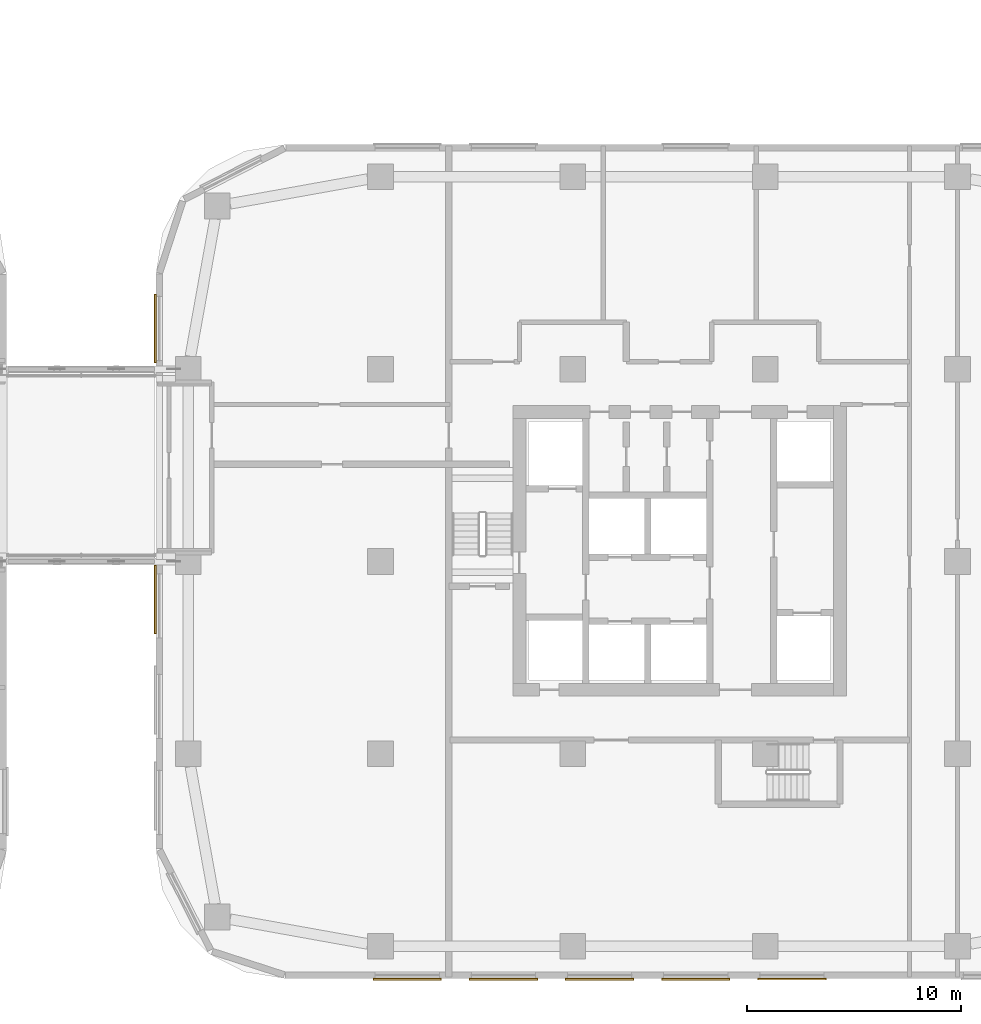
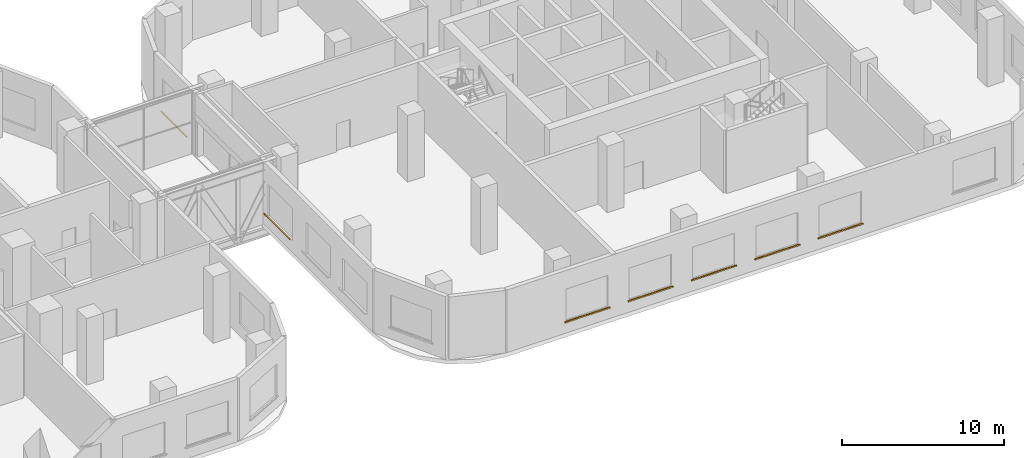
# One storey, part 33 of 35: 7 coverings.
"""IFC4 building model written with IfcOpenShell, lengths in metres."""

import ifcopenshell
import ifcopenshell.guid

model = None  # the IFC model being written
_history = None  # IfcOwnerHistory: only IFC2X3 demands one
_inside = {}  # id of a spatial element -> (the spatial element, [elements in it])
_under = {}  # id of a project, library or spatial element -> (it, [spatial elements below it])
_declared = {}  # id of a project -> (the project, [libraries it declares])
_typed = {}  # id of a type object -> (the type object, [elements of that type])
_made_of = {}  # id of a material, layer set ... -> (it, [elements and type objects made of it])


def new_model(schema):
    """Start an empty IFC model of exactly this schema.

    Asked for "IFC4X3", IfcOpenShell would pick the latest addendum, in which some entities
    have other attributes; the version numbers below select the first issue.
    IFC2X3 requires an IfcOwnerHistory on every rooted entity: one is made here for all.
    """
    global model, _history
    if schema == "IFC4X3":
        model = ifcopenshell.file(schema_version=(4, 3, 0, 0))
    else:
        model = ifcopenshell.file(schema=schema)
    _inside.clear()
    _under.clear()
    _declared.clear()
    _typed.clear()
    _made_of.clear()
    _history = None
    if model.schema == "IFC2X3":
        org = make("IfcOrganization", Name="unknown")
        user = make(
            "IfcPersonAndOrganization",
            ThePerson=make("IfcPerson", FamilyName="unknown"),
            TheOrganization=org,
        )
        app = make(
            "IfcApplication",
            ApplicationDeveloper=org,
            Version="unknown",
            ApplicationFullName="unknown",
            ApplicationIdentifier="unknown",
        )
        _history = make(
            "IfcOwnerHistory",
            OwningUser=user,
            OwningApplication=app,
            ChangeAction="ADDED",
            CreationDate=0,
        )
    return model


def make(cls, **values):
    """One entity of the class cls with the attributes given. An attribute that is None is left unset."""
    return model.create_entity(
        cls, **{name: value for name, value in values.items() if value is not None}
    )


def rooted(cls, **values):
    """An entity with a GlobalId (a new one), such as an element, a storey or a relation."""
    return make(cls, GlobalId=ifcopenshell.guid.new(), OwnerHistory=_history, **values)


def si_unit(unit_type, name, prefix=None):
    """IfcSIUnit, for example si_unit("LENGTHUNIT", "METRE", prefix="MILLI")."""
    return make("IfcSIUnit", UnitType=unit_type, Prefix=prefix, Name=name)


def assignment(units):
    """IfcUnitAssignment: the units of a project."""
    return None if units is None else make("IfcUnitAssignment", Units=units)


def point(xyz):
    """IfcCartesianPoint."""
    return None if xyz is None else make("IfcCartesianPoint", Coordinates=xyz)


def direction(xyz):
    """IfcDirection."""
    return None if xyz is None else make("IfcDirection", DirectionRatios=xyz)


def frame(location, z_axis=None, x_axis=None):
    """IfcAxis2Placement3D, a coordinate frame: its origin and axes. An axis left out is left unset."""
    return make(
        "IfcAxis2Placement3D",
        Location=point(location),
        Axis=direction(z_axis),
        RefDirection=direction(x_axis),
    )


def frame_2d(location, x_axis=None):
    """IfcAxis2Placement2D, a coordinate frame in the plane: its origin and x axis."""
    return make(
        "IfcAxis2Placement2D", Location=point(location), RefDirection=direction(x_axis)
    )


def origin():
    """The frame at (0, 0, 0) with its axes left unset."""
    return frame((0.0, 0.0, 0.0))


def origin_2d():
    """The frame at (0, 0) in the plane with its x axis left unset."""
    return frame_2d((0.0, 0.0))


def place(relative_to, where):
    """IfcLocalPlacement: puts the frame where relative to a parent placement (None: the world)."""
    return make(
        "IfcLocalPlacement", PlacementRelTo=relative_to, RelativePlacement=where
    )


def context(
    kind, dimensions, precision=None, world=None, true_north=None, identifier=None
):
    """IfcGeometricRepresentationContext, for example the 3D "Model" context."""
    return make(
        "IfcGeometricRepresentationContext",
        ContextIdentifier=identifier,
        ContextType=kind,
        CoordinateSpaceDimension=dimensions,
        Precision=precision,
        WorldCoordinateSystem=world,
        TrueNorth=true_north,
    )


def subcontext(parent, identifier, kind, view, scale=None):
    """IfcGeometricRepresentationSubContext, for example "Body" below "Model"."""
    return make(
        "IfcGeometricRepresentationSubContext",
        ContextIdentifier=identifier,
        ContextType=kind,
        ParentContext=parent,
        TargetScale=scale,
        TargetView=view,
    )


def project(units=None, contexts=None):
    """IfcProject with its units and contexts."""
    return rooted(
        "IfcProject",
        Name="project",
        RepresentationContexts=contexts,
        UnitsInContext=assignment(units),
    )


def spatial(cls, under=None, at=None, **own):
    """A site, building, storey or space (cls), placed at a placement, below another one or the project."""
    s = rooted(cls, ObjectPlacement=at, **own)
    if under is not None:
        _under.setdefault(under.id(), (under, []))[1].append(s)
    return s


def profile(cls, at=None, kind="AREA", **sizes):
    """A parametric profile (cls). Its sizes go by their IFC names, for example OverallWidth=200.0."""
    return make(cls, ProfileType=kind, Position=at, **sizes)


def rectangle(**sizes):
    """IfcRectangleProfileDef."""
    return profile("IfcRectangleProfileDef", **sizes)


def extrude(swept, where, along, depth):
    """IfcExtrudedAreaSolid: the profile swept, set in the frame where, extruded along a direction by depth."""
    return make(
        "IfcExtrudedAreaSolid",
        SweptArea=swept,
        Position=where,
        ExtrudedDirection=direction(along),
        Depth=depth,
    )


def shape(context_of_items, identifier, shape_type, items):
    """IfcShapeRepresentation: the items that make up one representation, for example the "Body"."""
    return make(
        "IfcShapeRepresentation",
        ContextOfItems=context_of_items,
        RepresentationIdentifier=identifier,
        RepresentationType=shape_type,
        Items=items,
    )


def material(Name=None, Category=None):
    """IfcMaterial."""
    return make("IfcMaterial", Name=Name, Category=Category)


def layer(
    of_material, thickness, ventilated=None, Name=None, Category=None, Priority=None
):
    """IfcMaterialLayer: one layer of a wall or slab, of a material (None: an air gap)."""
    return make(
        "IfcMaterialLayer",
        Material=of_material,
        LayerThickness=thickness,
        IsVentilated=ventilated,
        Name=Name,
        Category=Category,
        Priority=Priority,
    )


def layer_set(layers, Name=None):
    """IfcMaterialLayerSet."""
    return make("IfcMaterialLayerSet", MaterialLayers=layers, LayerSetName=Name)


def made_of(thing, what):
    """Note that an element or type object is made of a material, layer set ...; save() writes the relation."""
    if what is not None:
        _made_of.setdefault(what.id(), (what, []))[1].append(thing)
    return thing


def type_object(cls, material=None, **own):
    """A type object (cls), such as IfcWallType, which elements share."""
    return made_of(rooted(cls, **own), material)


def element(
    cls,
    number,
    at=None,
    inside=None,
    cuts=None,
    type_object=None,
    material=None,
    context=None,
    identifier="Body",
    shape_type=None,
    held_by="IfcProductDefinitionShape",
    body=None,
    shapes=None,
    **own,
):
    """One element of the class cls, such as IfcWall. Its Tag is "e" and its number.

    at: its placement. inside: the storey or other place that contains it. cuts: it is an
    opening in that element (IfcRelVoidsElement). A single representation is given by context,
    identifier, shape_type and body (its items); several are given by shapes. held_by: the class
    of the entity that holds the representations. save() writes the other relations.
    """
    e = rooted(cls, Tag="e%d" % number, ObjectPlacement=at, **own)
    if body is not None:
        shapes = [shape(context, identifier, shape_type, body)]
    if shapes is not None:
        e.Representation = make(held_by, Representations=shapes)
    if inside is not None:
        _inside.setdefault(inside.id(), (inside, []))[1].append(e)
    if cuts is not None:
        rooted(
            "IfcRelVoidsElement", RelatingBuildingElement=cuts, RelatedOpeningElement=e
        )
    if type_object is not None:
        _typed.setdefault(type_object.id(), (type_object, []))[1].append(e)
    return made_of(e, material)


def aggregate(whole, parts):
    """IfcRelAggregates: a whole, such as a stair, and the parts it consists of."""
    return rooted("IfcRelAggregates", RelatingObject=whole, RelatedObjects=parts)


def save(model, path):
    """Write the relations noted so far, then the file.

    IfcRelAggregates (storeys below a building ...), IfcRelContainedInSpatialStructure (elements
    in a storey), IfcRelDefinesByType, IfcRelAssociatesMaterial and IfcRelDeclares: one each for
    every whole, place, type object, material and project.
    """
    for whole, parts in _under.values():
        aggregate(whole, parts)
    for where, things in _inside.values():
        rooted(
            "IfcRelContainedInSpatialStructure",
            RelatedElements=things,
            RelatingStructure=where,
        )
    for kind, things in _typed.values():
        rooted("IfcRelDefinesByType", RelatedObjects=things, RelatingType=kind)
    for what, things in _made_of.values():
        rooted("IfcRelAssociatesMaterial", RelatedObjects=things, RelatingMaterial=what)
    for by, libraries in _declared.values():
        rooted("IfcRelDeclares", RelatingContext=by, RelatedDefinitions=libraries)
    model.write(path)


model = new_model("IFC4")

# Units and contexts
model_context = context("Model", 3, precision=1e-05, world=origin(), true_north=direction((0.0, 1.0)))
body_context = subcontext(model_context, "Body", "Model", "MODEL_VIEW")
ifc_project = project(units=[si_unit("LENGTHUNIT", "METRE"), si_unit("AREAUNIT", "SQUARE_METRE"), si_unit("VOLUMEUNIT", "CUBIC_METRE"), si_unit("PLANEANGLEUNIT", "RADIAN"), si_unit("MASSUNIT", "GRAM", prefix="KILO")], contexts=[model_context])

# Site, building, storey
site_placement = place(None, origin())
site = spatial("IfcSite", under=ifc_project, at=site_placement, CompositionType="ELEMENT")
building_placement = place(site_placement, origin())
building = spatial("IfcBuilding", under=site, at=building_placement, Name="Ogive Portal Towers", CompositionType="ELEMENT")
storey_placement = place(building_placement, frame((0.0, 0.0, 18.5)))
storey = spatial("IfcBuildingStorey", under=building, at=storey_placement, Name="L03", CompositionType="ELEMENT", Elevation=18.5)

# Coverings
ifc_material = material(Name="Limestone cladding on lightweight block wall", Category="masonry")
ifc_layer = layer(ifc_material, 0.080078125)
ifc_layer_set = layer_set([ifc_layer], Name="STONE SILL 80")
covering_type = type_object("IfcCoveringType", Name="STONE SILL 80", PredefinedType="CLADDING", material=ifc_layer_set)
for number, where, z_axis, x_axis, name in (
    (1, (123.75, 10.9599609375, 0.840087890625), (0.0, 0.0, 1.0), (1.0, 0.0, 0.0), "Stone sill"),
    (2, (128.25, 10.9599609375, 0.840087890625), (0.0, 0.0, 1.0), (1.0, 0.0, 0.0), "Stone sill"),
    (3, (132.75, 10.9599609375, 0.840087890625), (0.0, 0.0, 1.0), (1.0, 0.0, 0.0), "Stone sill"),
    (4, (137.25, 10.9599609375, 0.840087890625), (0.0, 0.0, 1.0), (1.0, 0.0, 0.0), "Stone sill"),
    (5, (141.75, 10.9599609375, 0.840087890625), (0.0, 0.0, 1.0), (1.0, 0.0, 0.0), "Stone sill"),
    (6, (111.9599609375, 41.402587890625, 0.840087890625), (0.0, 0.0, 1.0), (0.0, -1.0, 0.0), "Stone sill"),
    (7, (111.9599609375, 28.723876953125, 0.840087890625), (0.0, 0.0, 1.0), (0.0, -1.0, 0.0), "Stone sill"),
):
    element("IfcCovering", number, at=place(storey_placement, frame(where, z_axis=z_axis, x_axis=x_axis)), inside=storey, type_object=covering_type, Name=name, PredefinedType="CLADDING", context=body_context, shape_type="SweptSolid", body=[
        extrude(rectangle(XDim=3.199951171875, YDim=0.080078125, at=origin_2d()), origin(), (0.0, 0.0, 1.0), 0.06005859375),
    ])

save(model, "model.ifc")
